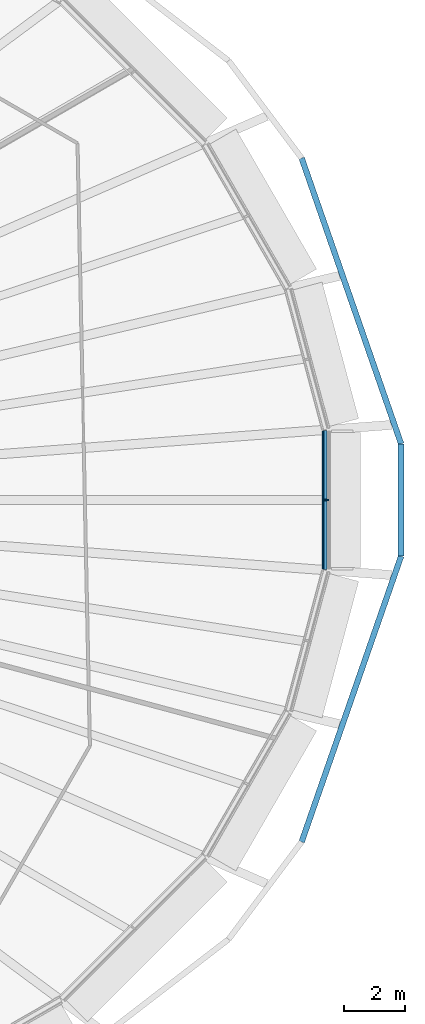
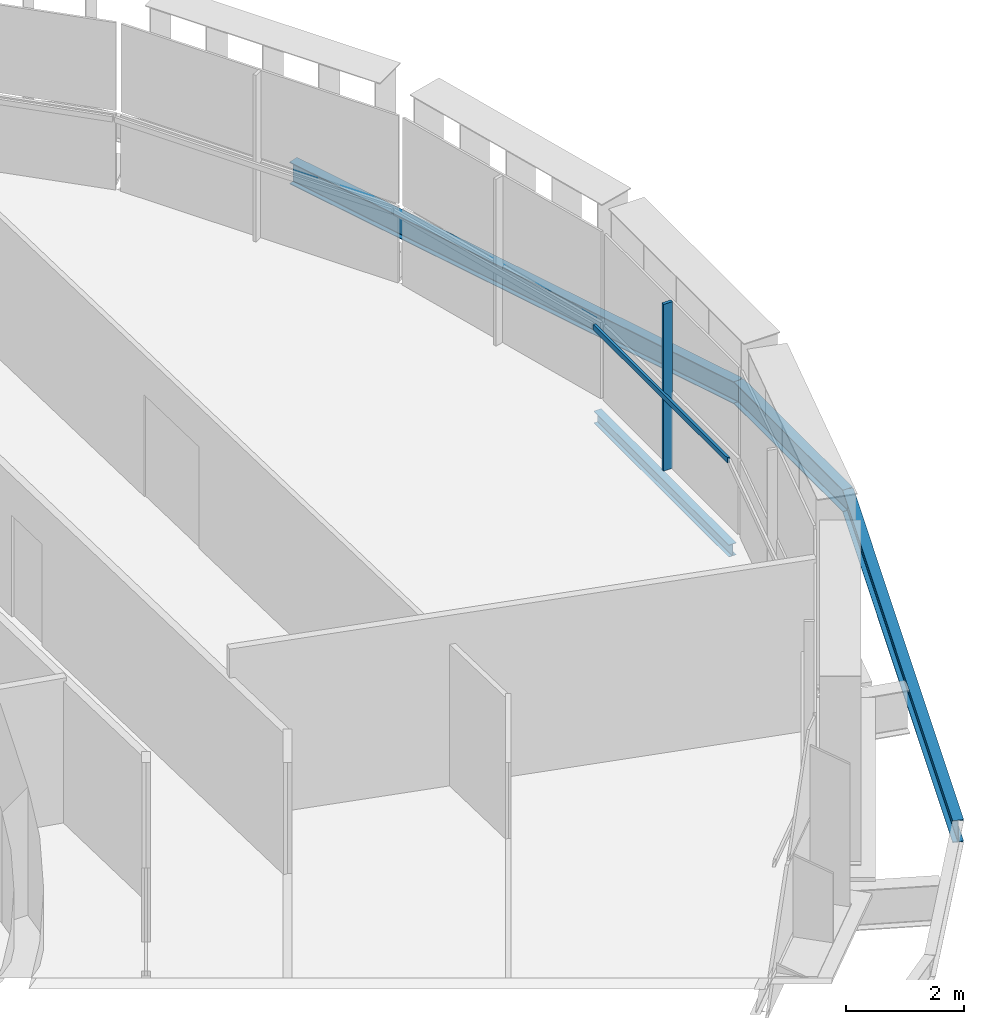
# One storey, part 9 of 22: 4 beams, 2 members, 1 element without a shape of its own.
"""IFC4 building model written with IfcOpenShell, lengths in metres."""

from ifc_helpers import new_model, si_unit, direction, frame, origin, origin_2d, place, context, subcontext, project, spatial, rectangle, i_section, extrude, material, layer, layer_set, material_profile, profile_set, type_object, element, aggregate, save


model = new_model("IFC4")

# Units and contexts
model_context = context("Model", 3, precision=1e-05, world=origin(), true_north=direction((0.0, 1.0)))
body_context = subcontext(model_context, "Body", "Model", "MODEL_VIEW")
ifc_project = project(units=[si_unit("LENGTHUNIT", "METRE"), si_unit("AREAUNIT", "SQUARE_METRE"), si_unit("VOLUMEUNIT", "CUBIC_METRE"), si_unit("PLANEANGLEUNIT", "RADIAN"), si_unit("MASSUNIT", "GRAM", prefix="KILO")], contexts=[model_context])

# Site, building, storey
site_placement = place(None, origin())
site = spatial("IfcSite", under=ifc_project, at=site_placement, CompositionType="ELEMENT")
building_placement = place(site_placement, origin())
building = spatial("IfcBuilding", under=site, at=building_placement, Name="Sahrelin Media Tower", CompositionType="ELEMENT")
storey_placement = place(building_placement, frame((0.0, 0.0, 177.60009765625)))
storey = spatial("IfcBuildingStorey", under=building, at=storey_placement, Name="L37", CompositionType="ELEMENT", Elevation=177.60009765625)

# Beam
ifc_material_1 = material(Name="Steel S355", Category="steel")
ifc_material_profile_1 = material_profile(ifc_material_1, i_section(OverallWidth=0.14599609375, OverallDepth=0.25146484375, WebThickness=0.006103515625, FlangeThickness=0.008544921875, FilletRadius=0.007568359375, at=origin_2d()), Name="UB 254x146x31")
ifc_profile_set_1 = profile_set([ifc_material_profile_1], Name="Steel S355")
beam_type_1 = type_object("IfcBeamType", Name="Edge beam EB1", PredefinedType="BEAM", material=ifc_profile_set_1)
beam_1_placement = place(storey_placement, frame((30.931640625, 2.28759765625, -0.27587890625), z_axis=(0.0, -1.0, 0.0), x_axis=(1.0, 0.0, 0.0)))
element("IfcBeam", 1, at=beam_1_placement, inside=storey, type_object=beam_type_1, Name="Edge beam L37-01", PredefinedType="BEAM", context=body_context, shape_type="SweptSolid", body=[
    extrude(i_section(OverallWidth=0.14599609375, OverallDepth=0.25146484375, WebThickness=0.006103515625, FlangeThickness=0.008544921875, FilletRadius=0.007568359375, at=origin_2d()), origin(), (0.0, 0.0, 1.0), 4.5751953125),
])

# Curtain wall, member
ifc_material_2 = material(Name="Champagne anodised aluminium 6063-T6", Category="aluminium")
ifc_layer = layer(ifc_material_2, 0.14990234375)
ifc_layer_set = layer_set([ifc_layer], Name="Tower ribbon curtain wall")
curtain_wall_type = type_object("IfcCurtainWallType", Name="Tower ribbon curtain wall", PredefinedType="NOTDEFINED", material=ifc_layer_set)
curtain_wall_placement = place(storey_placement, frame((31.081787109375, 0.0, 0.0), z_axis=(0.0, 0.0, 1.0), x_axis=(1.0, 0.0, 0.0)))
curtain_wall = element("IfcCurtainWall", 2, at=curtain_wall_placement, inside=storey, type_object=curtain_wall_type, Name="L37:CW:L37-00", PredefinedType="NOTDEFINED")
ifc_material_profile_2 = material_profile(ifc_material_2, rectangle(XDim=0.06005859375, YDim=0.175048828125, at=origin_2d()), Name="Mullion 60x175")
ifc_profile_set_2 = profile_set([ifc_material_profile_2], Name="Champagne anodised aluminium 6063-T6")
member_type_1 = type_object("IfcMemberType", Name="Mullion 60x175 CW1B", PredefinedType="MULLION", material=ifc_profile_set_2)
member_1_placement = place(storey_placement, frame((30.97412109375, 0.0, 0.0), z_axis=(0.0, 0.0, 1.0), x_axis=(0.0, 1.0, 0.0)))
member_1 = element("IfcMember", 3, at=member_1_placement, type_object=member_type_1, Name="L37:CWM:L37-00", PredefinedType="MULLION", context=body_context, shape_type="SweptSolid", body=[
    extrude(rectangle(XDim=0.06005859375, YDim=0.175048828125, at=origin_2d()), origin(), (0.0, 0.0, 1.0), 3.448486328125),
])

# Beams
ifc_material_profile_3 = material_profile(ifc_material_1, i_section(OverallWidth=0.1904296875, OverallDepth=0.45703125, WebThickness=0.009033203125, FlangeThickness=0.014404296875, FilletRadius=0.01025390625, at=origin_2d()), Name="UB 457x191x74")
ifc_profile_set_3 = profile_set([ifc_material_profile_3], Name="Steel S355")
beam_type_2 = type_object("IfcBeamType", Name="Tie chord TC5", PredefinedType="BEAM", material=ifc_profile_set_3)
for number, where, z_axis, x_axis, name in (
    (4, (33.43896484375, 1.850830078125, -0.378662109375), (-0.328762818369, 0.944412520702, 0.0), (-0.944412520702, -0.328762818369, 0.0), "Tie chord L37-01"),
    (5, (30.161376953125, -11.26611328125, -0.378662109375), (0.328762818369, 0.944412520702, 0.0), (-0.944412520702, 0.328762818369, 0.0), "Tie chord L37-23"),
):
    element("IfcBeam", number, at=place(storey_placement, frame(where, z_axis=z_axis, x_axis=x_axis)), inside=storey, type_object=beam_type_2, Name=name, PredefinedType="BEAM", context=body_context, shape_type="SweptSolid", body=[
        extrude(i_section(OverallWidth=0.1904296875, OverallDepth=0.45703125, WebThickness=0.009033203125, FlangeThickness=0.014404296875, FilletRadius=0.01025390625, at=origin_2d()), origin(), (0.0, 0.0, 1.0), 9.969482421875),
    ])
beam_2_placement = place(storey_placement, frame((33.43896484375, -1.850830078125, -0.378662109375), z_axis=(0.0, 1.0, 0.0), x_axis=(-1.0, 0.0, 0.0)))
element("IfcBeam", 6, at=beam_2_placement, inside=storey, type_object=beam_type_2, Name="Tie chord L37-24", PredefinedType="BEAM", context=body_context, shape_type="SweptSolid", body=[
    extrude(i_section(OverallWidth=0.1904296875, OverallDepth=0.45703125, WebThickness=0.009033203125, FlangeThickness=0.014404296875, FilletRadius=0.01025390625, at=origin_2d()), origin(), (0.0, 0.0, 1.0), 3.70166015625),
])

# Member
ifc_material_profile_4 = material_profile(ifc_material_2, rectangle(XDim=0.050048828125, YDim=0.110107421875, at=origin_2d()), Name="Transom 50x110")
ifc_profile_set_4 = profile_set([ifc_material_profile_4], Name="Champagne anodised aluminium 6063-T6")
member_type_2 = type_object("IfcMemberType", Name="Transom 50x110 CW1B", PredefinedType="USERDEFINED", material=ifc_profile_set_4)
member_2_placement = place(storey_placement, frame((30.86181640625, -2.271728515625, 1.599853515625), z_axis=(0.0, 1.0, 0.0), x_axis=(-1.0, 0.0, 0.0)))
member_2 = element("IfcMember", 7, at=member_2_placement, type_object=member_type_2, Name="L37:CWT:L37-00", ObjectType="TRANSOM", PredefinedType="USERDEFINED", context=body_context, shape_type="SweptSolid", body=[
    extrude(rectangle(XDim=0.050048828125, YDim=0.110107421875, at=origin_2d()), origin(), (0.0, 0.0, 1.0), 4.54345703125),
])

aggregate(curtain_wall, [member_1, member_2])

save(model, "model.ifc")
